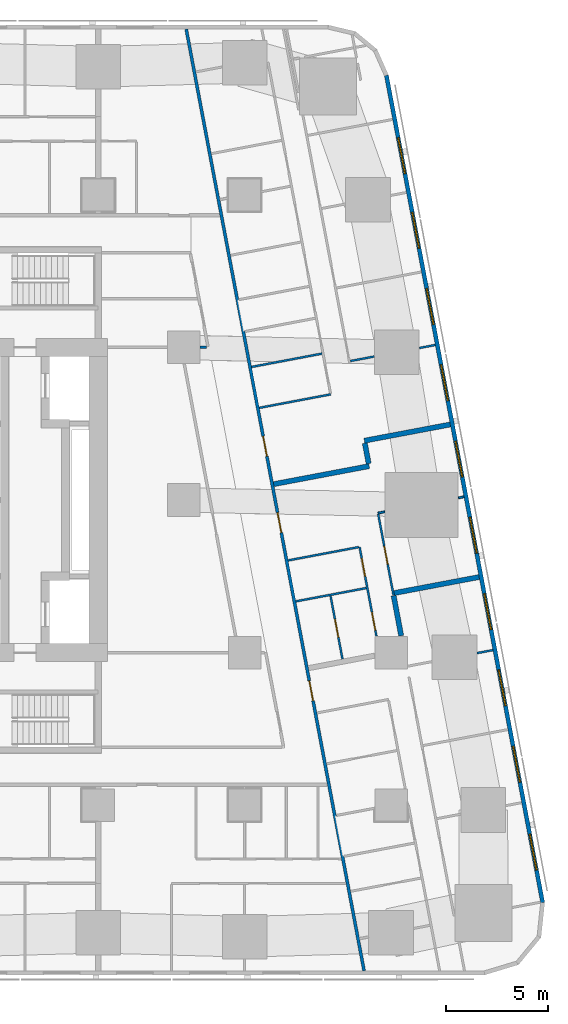
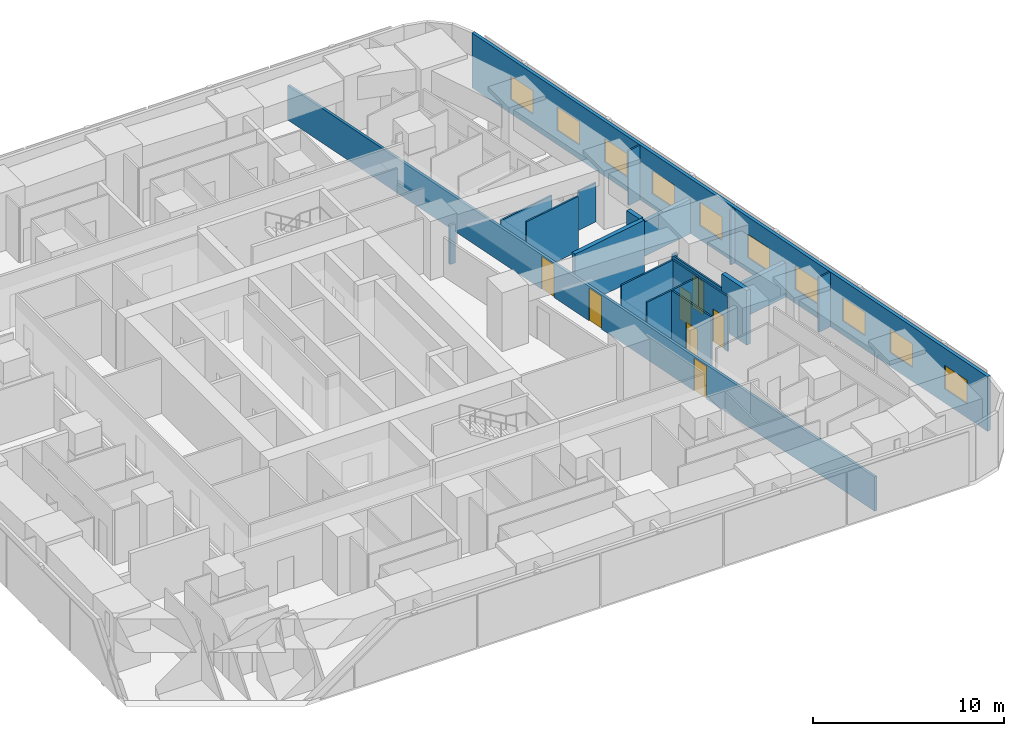
# One storey, part 8 of 17: 20 walls, 10 windows, 7 doors, 17 openings.
"""IFC4 building model written with IfcOpenShell, lengths in metres."""

from ifc_helpers import new_model, si_unit, direction, frame, frame_2d, origin, place, context, subcontext, project, spatial, rectangle, extrude, material, layer, layer_set, type_object, element, fill, save


model = new_model("IFC4")

# Units and contexts
model_context = context("Model", 3, precision=1e-05, world=origin(), true_north=direction((0.0, 1.0)))
body_context = subcontext(model_context, "Body", "Model", "MODEL_VIEW")
ifc_project = project(units=[si_unit("LENGTHUNIT", "METRE"), si_unit("AREAUNIT", "SQUARE_METRE"), si_unit("VOLUMEUNIT", "CUBIC_METRE"), si_unit("PLANEANGLEUNIT", "RADIAN"), si_unit("MASSUNIT", "GRAM", prefix="KILO")], contexts=[model_context])

# Site, building, storey
site_placement = place(None, origin())
site = spatial("IfcSite", under=ifc_project, at=site_placement, CompositionType="ELEMENT")
building_placement = place(site_placement, origin())
building = spatial("IfcBuilding", under=site, at=building_placement, Name="Sheger Commons Tower", CompositionType="ELEMENT")
storey_placement = place(building_placement, frame((0.0, 0.0, 111.64990234375)))
storey = spatial("IfcBuildingStorey", under=building, at=storey_placement, Name="L28", CompositionType="ELEMENT", Elevation=111.64990234375)

# Wall, openings, doors
ifc_material_1 = material(Name="Hollow concrete block masonry, skimmed both sides", Category="masonry")
ifc_layer_1 = layer(ifc_material_1, 0.14990234375)
ifc_layer_set_1 = layer_set([ifc_layer_1], Name="CORRIDOR WALL 150")
wall_type_1 = type_object("IfcWallType", Name="CORRIDOR WALL 150", PredefinedType="SOLIDWALL", material=ifc_layer_set_1)
wall_1_placement = place(storey_placement, frame((33.126953125, 45.64990234375, 0.0), z_axis=(0.0, 0.0, 1.0), x_axis=(0.185598547723, -0.98262565562, 0.0)))
wall_1 = element("IfcWall", 1, at=wall_1_placement, inside=storey, type_object=wall_type_1, Name="Corridor wall L28", PredefinedType="SOLIDWALL", context=body_context, shape_type="SweptSolid", body=[
    extrude(rectangle(XDim=47.118408203125, YDim=0.14990234375, at=frame_2d((23.55908203125, 0.0))), origin(), (0.0, 0.0, 1.0), 2.2001953125),
])
opening_1_placement = place(wall_1_placement, frame((20.373046875, 0.0, 0.0)))
opening_1 = element("IfcOpeningElement", 2, at=opening_1_placement, cuts=wall_1, Name="Opening D1", PredefinedType="OPENING", context=body_context, shape_type="SweptSolid", body=[
    extrude(rectangle(XDim=1.0, YDim=2.10009765625, at=frame_2d((0.5, 1.050048828125))), frame((0.0, 0.0849609375, 0.0), z_axis=(0.0, -1.0, 0.0), x_axis=(1.0, 0.0, 0.0)), (0.0, 0.0, 1.0), 0.169921875),
])
opening_2_placement = place(wall_1_placement, frame((24.18798828125, 0.0, 0.0)))
opening_2 = element("IfcOpeningElement", 3, at=opening_2_placement, cuts=wall_1, Name="Opening D1", PredefinedType="OPENING", context=body_context, shape_type="SweptSolid", body=[
    extrude(rectangle(XDim=1.0, YDim=2.10009765625, at=frame_2d((0.5, 1.050048828125))), frame((0.0, 0.0849609375, 0.0), z_axis=(0.0, -1.0, 0.0), x_axis=(1.0, 0.0, 0.0)), (0.0, 0.0, 1.0), 0.169921875),
])
opening_3_placement = place(wall_1_placement, frame((32.60791015625, 0.0, 0.0)))
opening_3 = element("IfcOpeningElement", 4, at=opening_3_placement, cuts=wall_1, Name="Opening D1", PredefinedType="OPENING", context=body_context, shape_type="SweptSolid", body=[
    extrude(rectangle(XDim=1.0, YDim=2.10009765625, at=frame_2d((0.5, 1.050048828125))), frame((0.0, 0.0849609375, 0.0), z_axis=(0.0, -1.0, 0.0), x_axis=(1.0, 0.0, 0.0)), (0.0, 0.0, 1.0), 0.169921875),
])
ifc_material_2 = material(Name="Steel door set, fire rated", Category="steel")
door_type_1 = type_object("IfcDoorType", Name="FLAT ENTRANCE DOOR 1000x2100", OperationType="NOTDEFINED", PredefinedType="DOOR", material=ifc_material_2)
door_1_placement = place(opening_1_placement, origin())
door_1 = element("IfcDoor", 5, at=door_1_placement, inside=storey, type_object=door_type_1, Name="Flat entrance door", OperationType="SINGLE_SWING_LEFT", OverallHeight=2.10009765625, OverallWidth=1.0, PredefinedType="DOOR", context=body_context, shape_type="SweptSolid", body=[
    extrude(rectangle(XDim=1.0, YDim=2.10009765625, at=frame_2d((0.5, 1.050048828125))), frame((0.0, 0.02490234375, 0.0), z_axis=(0.0, -1.0, 0.0), x_axis=(1.0, 0.0, 0.0)), (0.0, 0.0, 1.0), 0.050048828125),
])
fill(opening_1, door_1)
door_2_placement = place(opening_2_placement, origin())
door_2 = element("IfcDoor", 6, at=door_2_placement, inside=storey, type_object=door_type_1, Name="Flat entrance door", OperationType="SINGLE_SWING_RIGHT", OverallHeight=2.10009765625, OverallWidth=1.0, PredefinedType="DOOR", context=body_context, shape_type="SweptSolid", body=[
    extrude(rectangle(XDim=1.0, YDim=2.10009765625, at=frame_2d((0.5, 1.050048828125))), frame((0.0, 0.02490234375, 0.0), z_axis=(0.0, -1.0, 0.0), x_axis=(1.0, 0.0, 0.0)), (0.0, 0.0, 1.0), 0.050048828125),
])
fill(opening_2, door_2)
door_3_placement = place(opening_3_placement, origin())
door_3 = element("IfcDoor", 7, at=door_3_placement, inside=storey, type_object=door_type_1, Name="Flat entrance door", OperationType="SINGLE_SWING_LEFT", OverallHeight=2.10009765625, OverallWidth=1.0, PredefinedType="DOOR", context=body_context, shape_type="SweptSolid", body=[
    extrude(rectangle(XDim=1.0, YDim=2.10009765625, at=frame_2d((0.5, 1.050048828125))), frame((0.0, 0.02490234375, 0.0), z_axis=(0.0, -1.0, 0.0), x_axis=(1.0, 0.0, 0.0)), (0.0, 0.0, 1.0), 0.050048828125),
])
fill(opening_3, door_3)

# Walls
ifc_material_3 = material(Name="Dense concrete block masonry, plastered both sides (separating wall between flats)", Category="masonry")
ifc_layer_2 = layer(ifc_material_3, 0.25)
ifc_layer_set_2 = layer_set([ifc_layer_2], Name="DEMISING WALL 250")
wall_type_2 = type_object("IfcWallType", Name="DEMISING WALL 250", PredefinedType="SOLIDWALL", material=ifc_layer_set_2)
wall_2_placement = place(storey_placement, frame((46.110107421875, 26.212890625, 0.0), z_axis=(0.0, 0.0, 1.0), x_axis=(-0.982633535512, -0.185556823879, 0.0)))
element("IfcWall", 8, at=wall_2_placement, inside=storey, type_object=wall_type_2, Name="Demising wall L28", PredefinedType="SOLIDWALL", context=body_context, shape_type="SweptSolid", body=[
    extrude(rectangle(XDim=4.2998046875, YDim=0.25, at=frame_2d((2.14990234375, 0.0))), origin(), (0.0, 0.0, 1.0), 2.2001953125),
])
wall_3_placement = place(storey_placement, frame((42.12109375, 24.166015625, 0.0), z_axis=(0.0, 0.0, 1.0), x_axis=(-0.98259850169, -0.185742252804, 0.0)))
element("IfcWall", 9, at=wall_3_placement, inside=storey, type_object=wall_type_2, Name="Demising wall L28", PredefinedType="SOLIDWALL", context=body_context, shape_type="SweptSolid", body=[
    extrude(rectangle(XDim=4.775146484375, YDim=0.25, at=frame_2d((2.3876953125, 0.0))), origin(), (0.0, 0.0, 1.0), 3.5),
])
wall_4_placement = place(storey_placement, frame((41.907958984375, 25.2919921875, 0.0), z_axis=(0.0, 0.0, 1.0), x_axis=(0.18607888991, -0.982534806879, 0.0)))
element("IfcWall", 10, at=wall_4_placement, inside=storey, type_object=wall_type_2, Name="Demising wall L28", PredefinedType="SOLIDWALL", context=body_context, shape_type="SweptSolid", body=[
    extrude(rectangle(XDim=1.020751953125, YDim=0.25, at=frame_2d((0.51025390625, 0.0))), origin(), (0.0, 0.0, 1.0), 3.5),
])
wall_5_placement = place(storey_placement, frame((47.527099609375, 18.7119140625, 0.0), z_axis=(0.0, 0.0, 1.0), x_axis=(-0.982665405803, -0.185387972203, 0.0)))
element("IfcWall", 11, at=wall_5_placement, inside=storey, type_object=wall_type_2, Name="Demising wall L28", PredefinedType="SOLIDWALL", context=body_context, shape_type="SweptSolid", body=[
    extrude(rectangle(XDim=4.249755859375, YDim=0.25, at=frame_2d((2.125, 0.0))), origin(), (0.0, 0.0, 1.0), 2.2001953125),
])
wall_6_placement = place(storey_placement, frame((43.324951171875, 17.7919921875, 0.0), z_axis=(0.0, 0.0, 1.0), x_axis=(0.185296805985, -0.982682600686, 0.0)))
element("IfcWall", 12, at=wall_6_placement, inside=storey, type_object=wall_type_2, Name="Demising wall L28", PredefinedType="SOLIDWALL", context=body_context, shape_type="SweptSolid", body=[
    extrude(rectangle(XDim=2.002685546875, YDim=0.25, at=frame_2d((1.00146484375, 0.0))), origin(), (0.0, 0.0, 1.0), 3.5),
])

# Wall, openings, windows
ifc_material_4 = material(Name="Rendered concrete block masonry, dark grey", Category="masonry")
ifc_layer_3 = layer(ifc_material_4, 0.199951171875)
ifc_layer_set_3 = layer_set([ifc_layer_3], Name="FACADE WALL 200")
wall_type_3 = type_object("IfcWallType", Name="FACADE WALL 200", PredefinedType="SOLIDWALL", material=ifc_layer_set_3)
wall_7_placement = place(storey_placement, frame((50.653076171875, 2.702880859375, 0.0), z_axis=(0.0, 0.0, 1.0), x_axis=(-0.185612026696, 0.982623109613, 0.0)))
wall_7 = element("IfcWall", 13, at=wall_7_placement, inside=storey, type_object=wall_type_3, Name="Facade wall L28", PredefinedType="SOLIDWALL", context=body_context, shape_type="SweptSolid", body=[
    extrude(rectangle(XDim=41.393310546875, YDim=0.199951171875, at=frame_2d((20.69677734375, 0.0))), origin(), (0.0, 0.0, 1.0), 3.5),
])
opening_4_placement = place(wall_7_placement, frame((1.633056640625, 0.0, 0.89990234375)))
opening_4 = element("IfcOpeningElement", 14, at=opening_4_placement, cuts=wall_7, Name="Opening W2", PredefinedType="OPENING", context=body_context, shape_type="SweptSolid", body=[
    extrude(rectangle(XDim=1.800048828125, YDim=1.5, at=frame_2d((0.89990234375, 0.75))), frame((0.0, 0.10986328125, 0.0), z_axis=(0.0, -1.0, 0.0), x_axis=(1.0, 0.0, 0.0)), (0.0, 0.0, 1.0), 0.219970703125),
])
opening_5_placement = place(wall_7_placement, frame((6.031982421875, 0.0, 0.89990234375)))
opening_5 = element("IfcOpeningElement", 15, at=opening_5_placement, cuts=wall_7, Name="Opening W2", PredefinedType="OPENING", context=body_context, shape_type="SweptSolid", body=[
    extrude(rectangle(XDim=1.800048828125, YDim=1.5, at=frame_2d((0.89990234375, 0.75))), frame((0.0, 0.10986328125, 0.0), z_axis=(0.0, -1.0, 0.0), x_axis=(1.0, 0.0, 0.0)), (0.0, 0.0, 1.0), 0.219970703125),
])
opening_6_placement = place(wall_7_placement, frame((9.847900390625, 0.0, 0.89990234375)))
opening_6 = element("IfcOpeningElement", 16, at=opening_6_placement, cuts=wall_7, Name="Opening W2", PredefinedType="OPENING", context=body_context, shape_type="SweptSolid", body=[
    extrude(rectangle(XDim=1.800048828125, YDim=1.5, at=frame_2d((0.89990234375, 0.75))), frame((0.0, 0.10986328125, 0.0), z_axis=(0.0, -1.0, 0.0), x_axis=(1.0, 0.0, 0.0)), (0.0, 0.0, 1.0), 0.219970703125),
])
opening_7_placement = place(wall_7_placement, frame((13.6640625, 0.0, 0.89990234375)))
opening_7 = element("IfcOpeningElement", 17, at=opening_7_placement, cuts=wall_7, Name="Opening W2", PredefinedType="OPENING", context=body_context, shape_type="SweptSolid", body=[
    extrude(rectangle(XDim=1.800048828125, YDim=1.5, at=frame_2d((0.89990234375, 0.75))), frame((0.0, 0.10986328125, 0.0), z_axis=(0.0, -1.0, 0.0), x_axis=(1.0, 0.0, 0.0)), (0.0, 0.0, 1.0), 0.219970703125),
])
opening_8_placement = place(wall_7_placement, frame((17.48095703125, 0.0, 0.89990234375)))
opening_8 = element("IfcOpeningElement", 18, at=opening_8_placement, cuts=wall_7, Name="Opening W2", PredefinedType="OPENING", context=body_context, shape_type="SweptSolid", body=[
    extrude(rectangle(XDim=1.800048828125, YDim=1.5, at=frame_2d((0.89990234375, 0.75))), frame((0.0, 0.10986328125, 0.0), z_axis=(0.0, -1.0, 0.0), x_axis=(1.0, 0.0, 0.0)), (0.0, 0.0, 1.0), 0.219970703125),
])
opening_9_placement = place(wall_7_placement, frame((21.297119140625, 0.0, 0.89990234375)))
opening_9 = element("IfcOpeningElement", 19, at=opening_9_placement, cuts=wall_7, Name="Opening W2", PredefinedType="OPENING", context=body_context, shape_type="SweptSolid", body=[
    extrude(rectangle(XDim=1.800048828125, YDim=1.5, at=frame_2d((0.89990234375, 0.75))), frame((0.0, 0.10986328125, 0.0), z_axis=(0.0, -1.0, 0.0), x_axis=(1.0, 0.0, 0.0)), (0.0, 0.0, 1.0), 0.219970703125),
])
opening_10_placement = place(wall_7_placement, frame((25.113037109375, 0.0, 0.89990234375)))
opening_10 = element("IfcOpeningElement", 20, at=opening_10_placement, cuts=wall_7, Name="Opening W2", PredefinedType="OPENING", context=body_context, shape_type="SweptSolid", body=[
    extrude(rectangle(XDim=1.800048828125, YDim=1.5, at=frame_2d((0.89990234375, 0.75))), frame((0.0, 0.10986328125, 0.0), z_axis=(0.0, -1.0, 0.0), x_axis=(1.0, 0.0, 0.0)), (0.0, 0.0, 1.0), 0.219970703125),
])
opening_11_placement = place(wall_7_placement, frame((28.929931640625, 0.0, 0.89990234375)))
opening_11 = element("IfcOpeningElement", 21, at=opening_11_placement, cuts=wall_7, Name="Opening W2", PredefinedType="OPENING", context=body_context, shape_type="SweptSolid", body=[
    extrude(rectangle(XDim=1.800048828125, YDim=1.5, at=frame_2d((0.89990234375, 0.75))), frame((0.0, 0.10986328125, 0.0), z_axis=(0.0, -1.0, 0.0), x_axis=(1.0, 0.0, 0.0)), (0.0, 0.0, 1.0), 0.219970703125),
])
opening_12_placement = place(wall_7_placement, frame((32.74609375, 0.0, 0.89990234375)))
opening_12 = element("IfcOpeningElement", 22, at=opening_12_placement, cuts=wall_7, Name="Opening W2", PredefinedType="OPENING", context=body_context, shape_type="SweptSolid", body=[
    extrude(rectangle(XDim=1.800048828125, YDim=1.5, at=frame_2d((0.89990234375, 0.75))), frame((0.0, 0.10986328125, 0.0), z_axis=(0.0, -1.0, 0.0), x_axis=(1.0, 0.0, 0.0)), (0.0, 0.0, 1.0), 0.219970703125),
])
opening_13_placement = place(wall_7_placement, frame((36.48095703125, 0.0, 0.89990234375)))
opening_13 = element("IfcOpeningElement", 23, at=opening_13_placement, cuts=wall_7, Name="Opening W2", PredefinedType="OPENING", context=body_context, shape_type="SweptSolid", body=[
    extrude(rectangle(XDim=1.800048828125, YDim=1.5, at=frame_2d((0.89990234375, 0.75))), frame((0.0, 0.10986328125, 0.0), z_axis=(0.0, -1.0, 0.0), x_axis=(1.0, 0.0, 0.0)), (0.0, 0.0, 1.0), 0.219970703125),
])
ifc_material_5 = material(Name="Black aluminium frame, dark tinted double glazing", Category="aluminium")
window_type = type_object("IfcWindowType", Name="WINDOW W2 1800x1500", PartitioningType="SINGLE_PANEL", PredefinedType="WINDOW", material=ifc_material_5)
window_1_placement = place(opening_4_placement, origin())
window_1 = element("IfcWindow", 24, at=window_1_placement, inside=storey, type_object=window_type, Name="Window W2 1800X1500", OverallHeight=1.5, OverallWidth=1.800048828125, PartitioningType="SINGLE_PANEL", PredefinedType="WINDOW", context=body_context, shape_type="SweptSolid", body=[
    extrude(rectangle(XDim=1.800048828125, YDim=1.5, at=frame_2d((0.89990234375, 0.75))), frame((0.0, 0.030029296875, 0.0), z_axis=(0.0, -1.0, 0.0), x_axis=(1.0, 0.0, 0.0)), (0.0, 0.0, 1.0), 0.06005859375),
])
fill(opening_4, window_1)
window_2_placement = place(opening_5_placement, origin())
window_2 = element("IfcWindow", 25, at=window_2_placement, inside=storey, type_object=window_type, Name="Window W2 1800X1500", OverallHeight=1.5, OverallWidth=1.800048828125, PartitioningType="SINGLE_PANEL", PredefinedType="WINDOW", context=body_context, shape_type="SweptSolid", body=[
    extrude(rectangle(XDim=1.800048828125, YDim=1.5, at=frame_2d((0.89990234375, 0.75))), frame((0.0, 0.030029296875, 0.0), z_axis=(0.0, -1.0, 0.0), x_axis=(1.0, 0.0, 0.0)), (0.0, 0.0, 1.0), 0.06005859375),
])
fill(opening_5, window_2)
window_3_placement = place(opening_6_placement, origin())
window_3 = element("IfcWindow", 26, at=window_3_placement, inside=storey, type_object=window_type, Name="Window W2 1800X1500", OverallHeight=1.5, OverallWidth=1.800048828125, PartitioningType="SINGLE_PANEL", PredefinedType="WINDOW", context=body_context, shape_type="SweptSolid", body=[
    extrude(rectangle(XDim=1.800048828125, YDim=1.5, at=frame_2d((0.89990234375, 0.75))), frame((0.0, 0.030029296875, 0.0), z_axis=(0.0, -1.0, 0.0), x_axis=(1.0, 0.0, 0.0)), (0.0, 0.0, 1.0), 0.06005859375),
])
fill(opening_6, window_3)
window_4_placement = place(opening_7_placement, origin())
window_4 = element("IfcWindow", 27, at=window_4_placement, inside=storey, type_object=window_type, Name="Window W2 1800X1500", OverallHeight=1.5, OverallWidth=1.800048828125, PartitioningType="SINGLE_PANEL", PredefinedType="WINDOW", context=body_context, shape_type="SweptSolid", body=[
    extrude(rectangle(XDim=1.800048828125, YDim=1.5, at=frame_2d((0.89990234375, 0.75))), frame((0.0, 0.030029296875, 0.0), z_axis=(0.0, -1.0, 0.0), x_axis=(1.0, 0.0, 0.0)), (0.0, 0.0, 1.0), 0.06005859375),
])
fill(opening_7, window_4)
window_5_placement = place(opening_8_placement, origin())
window_5 = element("IfcWindow", 28, at=window_5_placement, inside=storey, type_object=window_type, Name="Window W2 1800X1500", OverallHeight=1.5, OverallWidth=1.800048828125, PartitioningType="SINGLE_PANEL", PredefinedType="WINDOW", context=body_context, shape_type="SweptSolid", body=[
    extrude(rectangle(XDim=1.800048828125, YDim=1.5, at=frame_2d((0.89990234375, 0.75))), frame((0.0, 0.030029296875, 0.0), z_axis=(0.0, -1.0, 0.0), x_axis=(1.0, 0.0, 0.0)), (0.0, 0.0, 1.0), 0.06005859375),
])
fill(opening_8, window_5)
window_6_placement = place(opening_9_placement, origin())
window_6 = element("IfcWindow", 29, at=window_6_placement, inside=storey, type_object=window_type, Name="Window W2 1800X1500", OverallHeight=1.5, OverallWidth=1.800048828125, PartitioningType="SINGLE_PANEL", PredefinedType="WINDOW", context=body_context, shape_type="SweptSolid", body=[
    extrude(rectangle(XDim=1.800048828125, YDim=1.5, at=frame_2d((0.89990234375, 0.75))), frame((0.0, 0.030029296875, 0.0), z_axis=(0.0, -1.0, 0.0), x_axis=(1.0, 0.0, 0.0)), (0.0, 0.0, 1.0), 0.06005859375),
])
fill(opening_9, window_6)
window_7_placement = place(opening_10_placement, origin())
window_7 = element("IfcWindow", 30, at=window_7_placement, inside=storey, type_object=window_type, Name="Window W2 1800X1500", OverallHeight=1.5, OverallWidth=1.800048828125, PartitioningType="SINGLE_PANEL", PredefinedType="WINDOW", context=body_context, shape_type="SweptSolid", body=[
    extrude(rectangle(XDim=1.800048828125, YDim=1.5, at=frame_2d((0.89990234375, 0.75))), frame((0.0, 0.030029296875, 0.0), z_axis=(0.0, -1.0, 0.0), x_axis=(1.0, 0.0, 0.0)), (0.0, 0.0, 1.0), 0.06005859375),
])
fill(opening_10, window_7)
window_8_placement = place(opening_11_placement, origin())
window_8 = element("IfcWindow", 31, at=window_8_placement, inside=storey, type_object=window_type, Name="Window W2 1800X1500", OverallHeight=1.5, OverallWidth=1.800048828125, PartitioningType="SINGLE_PANEL", PredefinedType="WINDOW", context=body_context, shape_type="SweptSolid", body=[
    extrude(rectangle(XDim=1.800048828125, YDim=1.5, at=frame_2d((0.89990234375, 0.75))), frame((0.0, 0.030029296875, 0.0), z_axis=(0.0, -1.0, 0.0), x_axis=(1.0, 0.0, 0.0)), (0.0, 0.0, 1.0), 0.06005859375),
])
fill(opening_11, window_8)
window_9_placement = place(opening_12_placement, origin())
window_9 = element("IfcWindow", 32, at=window_9_placement, inside=storey, type_object=window_type, Name="Window W2 1800X1500", OverallHeight=1.5, OverallWidth=1.800048828125, PartitioningType="SINGLE_PANEL", PredefinedType="WINDOW", context=body_context, shape_type="SweptSolid", body=[
    extrude(rectangle(XDim=1.800048828125, YDim=1.5, at=frame_2d((0.89990234375, 0.75))), frame((0.0, 0.030029296875, 0.0), z_axis=(0.0, -1.0, 0.0), x_axis=(1.0, 0.0, 0.0)), (0.0, 0.0, 1.0), 0.06005859375),
])
fill(opening_12, window_9)
window_10_placement = place(opening_13_placement, origin())
window_10 = element("IfcWindow", 33, at=window_10_placement, inside=storey, type_object=window_type, Name="Window W2 1800X1500", OverallHeight=1.5, OverallWidth=1.800048828125, PartitioningType="SINGLE_PANEL", PredefinedType="WINDOW", context=body_context, shape_type="SweptSolid", body=[
    extrude(rectangle(XDim=1.800048828125, YDim=1.5, at=frame_2d((0.89990234375, 0.75))), frame((0.0, 0.030029296875, 0.0), z_axis=(0.0, -1.0, 0.0), x_axis=(1.0, 0.0, 0.0)), (0.0, 0.0, 1.0), 0.06005859375),
])
fill(opening_13, window_10)

# Walls
ifc_material_6 = material(Name="Gypsum board on steel studs", Category="steel")
ifc_layer_4 = layer(ifc_material_6, 0.10009765625)
ifc_layer_set_4 = layer_set([ifc_layer_4], Name="PARTITION 100")
wall_type_4 = type_object("IfcWallType", Name="PARTITION 100", PredefinedType="PARTITIONING", material=ifc_layer_set_4)
wall_8_placement = place(storey_placement, frame((45.3720703125, 30.12109375, 0.0), z_axis=(0.0, 0.0, 1.0), x_axis=(-0.982512656401, -0.186195810938, 0.0)))
element("IfcWall", 34, at=wall_8_placement, inside=storey, type_object=wall_type_4, Name="Partition L28", PredefinedType="PARTITIONING", context=body_context, shape_type="SweptSolid", body=[
    extrude(rectangle(XDim=0.7958984375, YDim=0.10009765625, at=frame_2d((0.39794921875, 0.0))), origin(), (0.0, 0.0, 1.0), 3.5),
])
wall_9_placement = place(storey_placement, frame((42.3701171875, 29.553955078125, 0.0), z_axis=(0.0, 0.0, 1.0), x_axis=(-0.982600492424, -0.185731721275, 0.0)))
element("IfcWall", 35, at=wall_9_placement, inside=storey, type_object=wall_type_4, Name="Partition L28", PredefinedType="PARTITIONING", context=body_context, shape_type="SweptSolid", body=[
    extrude(rectangle(XDim=1.19482421875, YDim=0.10009765625, at=frame_2d((0.597412109375, 0.0))), origin(), (0.0, 0.0, 1.0), 2.5),
])
wall_10_placement = place(storey_placement, frame((40.23291015625, 27.693115234375, 0.0), z_axis=(0.0, 0.0, 1.0), x_axis=(-0.982598214409, -0.185743772548, 0.0)))
element("IfcWall", 36, at=wall_10_placement, inside=storey, type_object=wall_type_4, Name="Partition L28", PredefinedType="PARTITIONING", context=body_context, shape_type="SweptSolid", body=[
    extrude(rectangle(XDim=3.5751953125, YDim=0.10009765625, at=frame_2d((1.78759765625, 0.0))), origin(), (0.0, 0.0, 1.0), 3.5),
])
wall_11_placement = place(storey_placement, frame((39.802978515625, 29.697998046875, 0.0), z_axis=(0.0, 0.0, 1.0), x_axis=(-0.982576058723, -0.185860939478, 0.0)))
element("IfcWall", 37, at=wall_11_placement, inside=storey, type_object=wall_type_4, Name="Partition L28", PredefinedType="PARTITIONING", context=body_context, shape_type="SweptSolid", body=[
    extrude(rectangle(XDim=3.5244140625, YDim=0.10009765625, at=frame_2d((1.76220703125, 0.0))), origin(), (0.0, 0.0, 1.0), 2.5),
])

# Wall, opening, door
wall_12_placement = place(storey_placement, frame((42.56494140625, 21.80908203125, 0.0), z_axis=(0.0, 0.0, 1.0), x_axis=(0.185910488551, -0.982566684885, 0.0)))
wall_12 = element("IfcWall", 38, at=wall_12_placement, inside=storey, type_object=wall_type_4, Name="Partition L28", PredefinedType="PARTITIONING", context=body_context, shape_type="SweptSolid", body=[
    extrude(rectangle(XDim=4.061767578125, YDim=0.10009765625, at=frame_2d((2.03076171875, 0.0))), origin(), (0.0, 0.0, 1.0), 2.5),
])
opening_14_placement = place(wall_12_placement, frame((1.617919921875, 0.0, 0.0)))
opening_14 = element("IfcOpeningElement", 39, at=opening_14_placement, cuts=wall_12, Name="Opening D2", PredefinedType="OPENING", context=body_context, shape_type="SweptSolid", body=[
    extrude(rectangle(XDim=0.89990234375, YDim=2.10009765625, at=frame_2d((0.449951171875, 1.050048828125))), frame((0.0, 0.06005859375, 0.0), z_axis=(0.0, -1.0, 0.0), x_axis=(1.0, 0.0, 0.0)), (0.0, 0.0, 1.0), 0.1201171875),
])
ifc_material_7 = material(Name="Timber door set", Category="wood")
door_type_2 = type_object("IfcDoorType", Name="INTERNAL DOOR 900x2100", OperationType="NOTDEFINED", PredefinedType="DOOR", material=ifc_material_7)
door_4_placement = place(opening_14_placement, origin())
door_4 = element("IfcDoor", 40, at=door_4_placement, inside=storey, type_object=door_type_2, Name="Main bedroom door", OperationType="SINGLE_SWING_RIGHT", OverallHeight=2.10009765625, OverallWidth=0.89990234375, PredefinedType="DOOR", context=body_context, shape_type="SweptSolid", body=[
    extrude(rectangle(XDim=0.89990234375, YDim=2.10009765625, at=frame_2d((0.449951171875, 1.050048828125))), frame((0.0, 0.02490234375, 0.0), z_axis=(0.0, -1.0, 0.0), x_axis=(1.0, 0.0, 0.0)), (0.0, 0.0, 1.0), 0.050048828125),
])
fill(opening_14, door_4)

# Wall, openings, doors
wall_13_placement = place(storey_placement, frame((41.64990234375, 20.193115234375, 0.0), z_axis=(0.0, 0.0, 1.0), x_axis=(0.18565316258, -0.982615338382, 0.0)))
wall_13 = element("IfcWall", 41, at=wall_13_placement, inside=storey, type_object=wall_type_4, Name="Partition L28", PredefinedType="PARTITIONING", context=body_context, shape_type="SweptSolid", body=[
    extrude(rectangle(XDim=4.460693359375, YDim=0.10009765625, at=frame_2d((2.23046875, 0.0))), origin(), (0.0, 0.0, 1.0), 3.5),
])
opening_15_placement = place(wall_13_placement, frame((0.574951171875, 0.0, 0.0)))
opening_15 = element("IfcOpeningElement", 42, at=opening_15_placement, cuts=wall_13, Name="Opening D2", PredefinedType="OPENING", context=body_context, shape_type="SweptSolid", body=[
    extrude(rectangle(XDim=0.89990234375, YDim=2.10009765625, at=frame_2d((0.449951171875, 1.050048828125))), frame((0.0, 0.06005859375, 0.0), z_axis=(0.0, -1.0, 0.0), x_axis=(1.0, 0.0, 0.0)), (0.0, 0.0, 1.0), 0.1201171875),
])
opening_16_placement = place(wall_13_placement, frame((3.27099609375, 0.0, 0.0)))
opening_16 = element("IfcOpeningElement", 43, at=opening_16_placement, cuts=wall_13, Name="Opening D2", PredefinedType="OPENING", context=body_context, shape_type="SweptSolid", body=[
    extrude(rectangle(XDim=0.89990234375, YDim=2.10009765625, at=frame_2d((0.449951171875, 1.050048828125))), frame((0.0, 0.06005859375, 0.0), z_axis=(0.0, -1.0, 0.0), x_axis=(1.0, 0.0, 0.0)), (0.0, 0.0, 1.0), 0.1201171875),
])
door_5_placement = place(opening_15_placement, origin())
door_5 = element("IfcDoor", 44, at=door_5_placement, inside=storey, type_object=door_type_2, Name="Bathroom door", OperationType="SINGLE_SWING_RIGHT", OverallHeight=2.10009765625, OverallWidth=0.89990234375, PredefinedType="DOOR", context=body_context, shape_type="SweptSolid", body=[
    extrude(rectangle(XDim=0.89990234375, YDim=2.10009765625, at=frame_2d((0.449951171875, 1.050048828125))), frame((0.0, 0.02490234375, 0.0), z_axis=(0.0, -1.0, 0.0), x_axis=(1.0, 0.0, 0.0)), (0.0, 0.0, 1.0), 0.050048828125),
])
fill(opening_15, door_5)
door_6_placement = place(opening_16_placement, origin())
door_6 = element("IfcDoor", 45, at=door_6_placement, inside=storey, type_object=door_type_2, Name="Store door", OperationType="SINGLE_SWING_LEFT", OverallHeight=2.10009765625, OverallWidth=0.89990234375, PredefinedType="DOOR", context=body_context, shape_type="SweptSolid", body=[
    extrude(rectangle(XDim=0.89990234375, YDim=2.10009765625, at=frame_2d((0.449951171875, 1.050048828125))), frame((0.0, 0.02490234375, 0.0), z_axis=(0.0, -1.0, 0.0), x_axis=(1.0, 0.0, 0.0)), (0.0, 0.0, 1.0), 0.050048828125),
])
fill(opening_16, door_6)

# Walls
wall_14_placement = place(storey_placement, frame((46.781982421875, 22.656982421875, 0.0), z_axis=(0.0, 0.0, 1.0), x_axis=(-0.982574553168, -0.185868898601, 0.0)))
element("IfcWall", 46, at=wall_14_placement, inside=storey, type_object=wall_type_4, Name="Partition L28", PredefinedType="PARTITIONING", context=body_context, shape_type="SweptSolid", body=[
    extrude(rectangle(XDim=0.27978515625, YDim=0.10009765625, at=frame_2d((0.139892578125, 0.0))), origin(), (0.0, 0.0, 1.0), 3.5),
])
wall_15_placement = place(storey_placement, frame((42.886962890625, 21.9208984375, 0.0), z_axis=(0.0, 0.0, 1.0), x_axis=(-0.982274918032, -0.187445953293, 0.0)))
element("IfcWall", 47, at=wall_15_placement, inside=storey, type_object=wall_type_4, Name="Partition L28", PredefinedType="PARTITIONING", context=body_context, shape_type="SweptSolid", body=[
    extrude(rectangle(XDim=0.3359375, YDim=0.10009765625, at=frame_2d((0.16796875, 0.0))), origin(), (0.0, 0.0, 1.0), 2.5),
])
wall_16_placement = place(storey_placement, frame((41.60107421875, 20.18408203125, 0.0), z_axis=(0.0, 0.0, 1.0), x_axis=(-0.982638553676, -0.185530247748, 0.0)))
element("IfcWall", 48, at=wall_16_placement, inside=storey, type_object=wall_type_4, Name="Partition L28", PredefinedType="PARTITIONING", context=body_context, shape_type="SweptSolid", body=[
    extrude(rectangle(XDim=3.525390625, YDim=0.10009765625, at=frame_2d((1.7626953125, 0.0))), origin(), (0.0, 0.0, 1.0), 3.5),
])
wall_17_placement = place(storey_placement, frame((41.98095703125, 18.169921875, 0.0), z_axis=(0.0, 0.0, 1.0), x_axis=(-0.982585626838, -0.185810349366, 0.0)))
element("IfcWall", 49, at=wall_17_placement, inside=storey, type_object=wall_type_4, Name="Partition L28", PredefinedType="PARTITIONING", context=body_context, shape_type="SweptSolid", body=[
    extrude(rectangle(XDim=3.525146484375, YDim=0.10009765625, at=frame_2d((1.7626953125, 0.0))), origin(), (0.0, 0.0, 1.0), 3.5),
])
wall_18_placement = place(storey_placement, frame((48.2060546875, 15.1201171875, 0.0), z_axis=(0.0, 0.0, 1.0), x_axis=(-0.982512656401, -0.186195810938, 0.0)))
element("IfcWall", 50, at=wall_18_placement, inside=storey, type_object=wall_type_4, Name="Partition L28", PredefinedType="PARTITIONING", context=body_context, shape_type="SweptSolid", body=[
    extrude(rectangle(XDim=0.7958984375, YDim=0.10009765625, at=frame_2d((0.39794921875, 0.0))), origin(), (0.0, 0.0, 1.0), 3.5),
])

# Wall, opening, door
wall_19_placement = place(storey_placement, frame((40.221923828125, 17.785888671875, 0.0), z_axis=(0.0, 0.0, 1.0), x_axis=(0.185768925106, -0.982593459405, 0.0)))
wall_19 = element("IfcWall", 51, at=wall_19_placement, inside=storey, type_object=wall_type_4, Name="Partition L28", PredefinedType="PARTITIONING", context=body_context, shape_type="SweptSolid", body=[
    extrude(rectangle(XDim=3.166015625, YDim=0.10009765625, at=frame_2d((1.5830078125, 0.0))), origin(), (0.0, 0.0, 1.0), 3.5),
])
opening_17_placement = place(wall_19_placement, frame((1.169921875, 0.0, 0.0)))
opening_17 = element("IfcOpeningElement", 52, at=opening_17_placement, cuts=wall_19, Name="Opening D2", PredefinedType="OPENING", context=body_context, shape_type="SweptSolid", body=[
    extrude(rectangle(XDim=0.89990234375, YDim=2.10009765625, at=frame_2d((0.449951171875, 1.050048828125))), frame((0.0, 0.06005859375, 0.0), z_axis=(0.0, -1.0, 0.0), x_axis=(1.0, 0.0, 0.0)), (0.0, 0.0, 1.0), 0.1201171875),
])
door_7_placement = place(opening_17_placement, origin())
door_7 = element("IfcDoor", 53, at=door_7_placement, inside=storey, type_object=door_type_2, Name="Store door", OperationType="SINGLE_SWING_LEFT", OverallHeight=2.10009765625, OverallWidth=0.89990234375, PredefinedType="DOOR", context=body_context, shape_type="SweptSolid", body=[
    extrude(rectangle(XDim=0.89990234375, YDim=2.10009765625, at=frame_2d((0.449951171875, 1.050048828125))), frame((0.0, 0.02490234375, 0.0), z_axis=(0.0, -1.0, 0.0), x_axis=(1.0, 0.0, 0.0)), (0.0, 0.0, 1.0), 0.050048828125),
])
fill(opening_17, door_7)

# Wall
ifc_material_8 = material(Name="Gypsum board on steel studs, two layers each side, fire rated", Category="steel")
ifc_layer_5 = layer(ifc_material_8, 0.125)
ifc_layer_set_5 = layer_set([ifc_layer_5], Name="SERVICE WALL 125")
wall_type_5 = type_object("IfcWallType", Name="SERVICE WALL 125", PredefinedType="PARTITIONING", material=ifc_layer_set_5)
wall_20_placement = place(storey_placement, frame((33.801025390625, 30.0, 0.0), z_axis=(0.0, 0.0, 1.0), x_axis=(1.0, 0.0, 0.0)))
element("IfcWall", 54, at=wall_20_placement, inside=storey, type_object=wall_type_5, Name="Service room wall L28", PredefinedType="PARTITIONING", context=body_context, shape_type="SweptSolid", body=[
    extrude(rectangle(XDim=0.323974609375, YDim=0.125, at=frame_2d((0.162109375, 0.0))), origin(), (0.0, 0.0, 1.0), 2.5),
])

save(model, "model.ifc")
